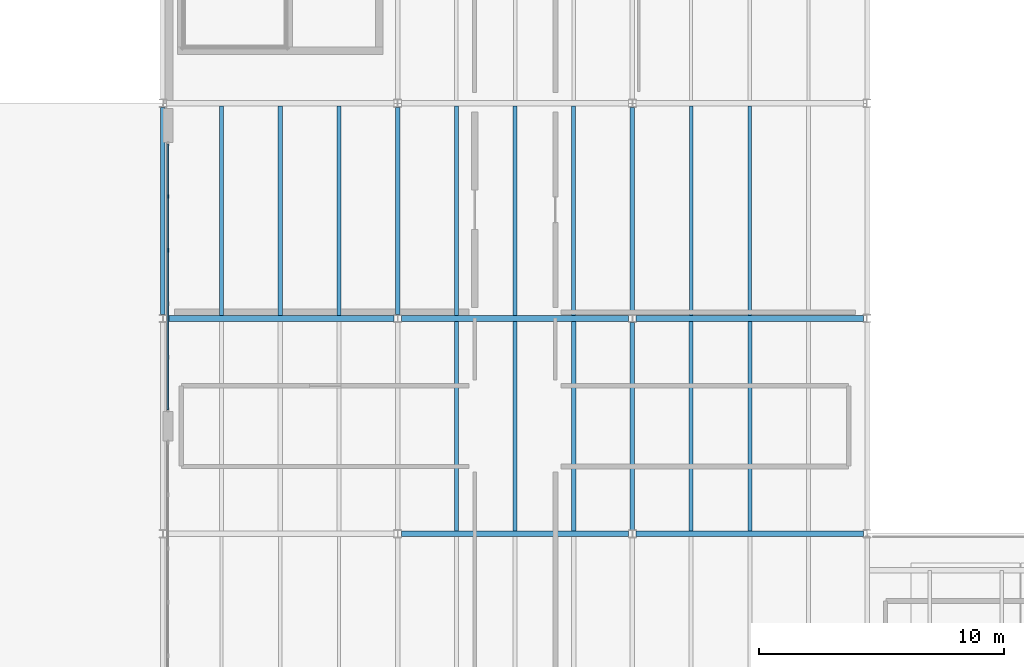
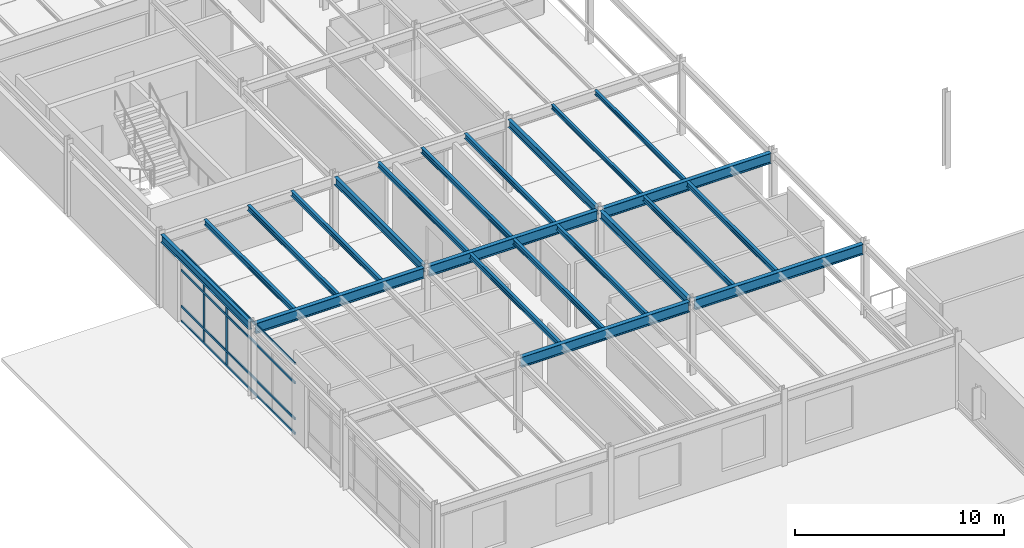
# One storey, part 19 of 77: 22 beams, 6 members, 1 element without a shape of its own.
"""IFC4 building model written with IfcOpenShell, lengths in metres."""

from ifc_helpers import new_model, si_unit, direction, frame, origin, origin_2d, place, context, subcontext, project, spatial, rectangle, i_section, extrude, material, material_profile, profile_set, type_object, element, aggregate, save


model = new_model("IFC4")

# Units and contexts
model_context = context("Model", 3, precision=1e-05, world=origin(), true_north=direction((0.0, 1.0)))
body_context = subcontext(model_context, "Body", "Model", "MODEL_VIEW")
ifc_project = project(units=[si_unit("LENGTHUNIT", "METRE"), si_unit("AREAUNIT", "SQUARE_METRE"), si_unit("VOLUMEUNIT", "CUBIC_METRE"), si_unit("PLANEANGLEUNIT", "RADIAN"), si_unit("MASSUNIT", "GRAM", prefix="KILO")], contexts=[model_context])

# Site, building, storey
site_placement = place(None, origin())
site = spatial("IfcSite", under=ifc_project, at=site_placement, CompositionType="ELEMENT")
building_placement = place(site_placement, origin())
building = spatial("IfcBuilding", under=site, at=building_placement, Name="Sarnbrook Museum", CompositionType="ELEMENT")
storey_placement = place(building_placement, frame((0.0, 0.0, 5.60009765625)))
storey = spatial("IfcBuildingStorey", under=building, at=storey_placement, Name="L01", CompositionType="ELEMENT", Elevation=5.60009765625)

# Beams
ifc_material_1 = material(Name="Structural Steel Grade 300PLUS (AS/NZS 3679.1, fy = 280 MPa for 17 < t <= 40 mm, 300 MPa for t <= 17 mm)", Category="steel")
ifc_material_profile_1 = material_profile(ifc_material_1, i_section(OverallWidth=0.18994140625, OverallDepth=0.45703125, WebThickness=0.009033203125, FlangeThickness=0.014404296875, FilletRadius=0.011474609375, at=origin_2d()), Name="460UB74.6")
ifc_profile_set_1 = profile_set([ifc_material_profile_1], Name="Structural Steel Grade 300PLUS (AS/NZS 3679.1, fy = 280 MPa for 17 < t <= 40 mm, 300 MPa for t <= 17 mm)")
beam_type_1 = type_object("IfcBeamType", Name="BM-UB460", PredefinedType="BEAM", material=ifc_profile_set_1)
for number, where, z_axis, x_axis, name in (
    (1, (13.60009765625, 30.5576171875, 4.0615234375), (0.0, 1.0, 0.0), (-1.0, 0.0, 0.0), "Girder 2:D-E L01"),
    (2, (23.199951171875, 30.5576171875, 4.0615234375), (0.0, 1.0, 0.0), (-1.0, 0.0, 0.0), "Girder 3:D-E L01"),
):
    element("IfcBeam", number, at=place(storey_placement, frame(where, z_axis=z_axis, x_axis=x_axis)), inside=storey, type_object=beam_type_1, Name=name, PredefinedType="BEAM", context=body_context, shape_type="SweptSolid", body=[
        extrude(i_section(OverallWidth=0.18994140625, OverallDepth=0.45703125, WebThickness=0.009033203125, FlangeThickness=0.014404296875, FilletRadius=0.011474609375, at=origin_2d()), origin(), (0.0, 0.0, 1.0), 8.47900390625),
    ])
beam_1_placement = place(storey_placement, frame((32.800048828125, 21.757568359375, 4.0615234375), z_axis=(0.0, 1.0, 0.0), x_axis=(-1.0, 0.0, 0.0)))
element("IfcBeam", 3, at=beam_1_placement, inside=storey, type_object=beam_type_1, Name="Girder 4:C-D L01", PredefinedType="BEAM", context=body_context, shape_type="SweptSolid", body=[
    extrude(i_section(OverallWidth=0.18994140625, OverallDepth=0.45703125, WebThickness=0.009033203125, FlangeThickness=0.014404296875, FilletRadius=0.011474609375, at=origin_2d()), origin(), (0.0, 0.0, 1.0), 8.48486328125),
])
beam_2_placement = place(storey_placement, frame((32.800048828125, 30.5576171875, 4.0615234375), z_axis=(0.0, 1.0, 0.0), x_axis=(-1.0, 0.0, 0.0)))
element("IfcBeam", 4, at=beam_2_placement, inside=storey, type_object=beam_type_1, Name="Girder 4:D-E L01", PredefinedType="BEAM", context=body_context, shape_type="SweptSolid", body=[
    extrude(i_section(OverallWidth=0.18994140625, OverallDepth=0.45703125, WebThickness=0.009033203125, FlangeThickness=0.014404296875, FilletRadius=0.011474609375, at=origin_2d()), origin(), (0.0, 0.0, 1.0), 8.47900390625),
])
ifc_material_profile_2 = material_profile(ifc_material_1, i_section(OverallWidth=0.22802734375, OverallDepth=0.60693359375, WebThickness=0.01123046875, FlangeThickness=0.017333984375, FilletRadius=0.013916015625, at=origin_2d()), Name="610UB113")
ifc_profile_set_2 = profile_set([ifc_material_profile_2], Name="Structural Steel Grade 300PLUS (AS/NZS 3679.1, fy = 280 MPa for 17 < t <= 40 mm, 300 MPa for t <= 17 mm)")
beam_type_2 = type_object("IfcBeamType", Name="BM-UB610", PredefinedType="BEAM", material=ifc_profile_set_2)
for number, where, z_axis, x_axis, name in (
    (5, (23.353515625, 21.60009765625, 3.986328125), (1.0, 0.0, 0.0), (0.0, 1.0, 0.0), "Girder C:3-4 L01"),
    (6, (32.95361328125, 21.60009765625, 3.986328125), (1.0, 0.0, 0.0), (0.0, 1.0, 0.0), "Girder C:4-5 L01"),
    (7, (13.75341796875, 30.39990234375, 3.986328125), (1.0, 0.0, 0.0), (0.0, 1.0, 0.0), "Girder D:2-3 L01"),
    (8, (23.353515625, 30.39990234375, 3.986328125), (1.0, 0.0, 0.0), (0.0, 1.0, 0.0), "Girder D:3-4 L01"),
):
    element("IfcBeam", number, at=place(storey_placement, frame(where, z_axis=z_axis, x_axis=x_axis)), inside=storey, type_object=beam_type_2, Name=name, PredefinedType="BEAM", context=body_context, shape_type="SweptSolid", body=[
        extrude(i_section(OverallWidth=0.22802734375, OverallDepth=0.60693359375, WebThickness=0.01123046875, FlangeThickness=0.017333984375, FilletRadius=0.013916015625, at=origin_2d()), origin(), (0.0, 0.0, 1.0), 9.29296875),
    ])
beam_3_placement = place(storey_placement, frame((32.95361328125, 30.39990234375, 3.986328125), z_axis=(1.0, 0.0, 0.0), x_axis=(0.0, 1.0, 0.0)))
element("IfcBeam", 9, at=beam_3_placement, inside=storey, type_object=beam_type_2, Name="Girder D:4-5 L01", PredefinedType="BEAM", context=body_context, shape_type="SweptSolid", body=[
    extrude(i_section(OverallWidth=0.22802734375, OverallDepth=0.60693359375, WebThickness=0.01123046875, FlangeThickness=0.017333984375, FilletRadius=0.013916015625, at=origin_2d()), origin(), (0.0, 0.0, 1.0), 9.290771484375),
])

# Curtain wall, members
ifc_material_2 = material(Name="Thermally Broken Anodised Aluminium 6063-T6", Category="aluminium")
curtain_wall_type = type_object("IfcCurtainWallType", Name="CurtainWall_GalleryRibbon", PredefinedType="NOTDEFINED", material=ifc_material_2)
curtain_wall_placement = place(storey_placement, origin())
curtain_wall = element("IfcCurtainWall", 10, at=curtain_wall_placement, inside=storey, type_object=curtain_wall_type, Name="Gallery Ribbon Curtain Wall L01-12.1", PredefinedType="NOTDEFINED")
ifc_material_profile_3 = material_profile(ifc_material_2, rectangle(XDim=0.06005859375, YDim=0.159912109375, at=origin_2d()), Name="ALU MULLION 60x160")
ifc_profile_set_3 = profile_set([ifc_material_profile_3], Name="Thermally Broken Anodised Aluminium 6063-T6")
member_type_1 = type_object("IfcMemberType", Name="CW_Mullion_150x65", PredefinedType="MULLION", material=ifc_profile_set_3)
member_1_placement = place(storey_placement, frame((13.81005859375, 35.387939453125, 0.0), z_axis=(0.0, 0.0, 1.0), x_axis=(1.0, 0.0, 0.0)))
member_1 = element("IfcMember", 11, at=member_1_placement, type_object=member_type_1, Name="Gallery Ribbon Curtain Wall L01-12.1 Mullion 2", PredefinedType="MULLION", context=body_context, shape_type="SweptSolid", body=[
    extrude(rectangle(XDim=0.06005859375, YDim=0.159912109375, at=origin_2d()), origin(), (0.0, 0.0, 1.0), 4.159912109375),
])
member_2_placement = place(storey_placement, frame((13.81005859375, 33.196044921875, 0.0), z_axis=(0.0, 0.0, 1.0), x_axis=(1.0, 0.0, 0.0)))
member_2 = element("IfcMember", 12, at=member_2_placement, type_object=member_type_1, Name="Gallery Ribbon Curtain Wall L01-12.1 Mullion 3", PredefinedType="MULLION", context=body_context, shape_type="SweptSolid", body=[
    extrude(rectangle(XDim=0.06005859375, YDim=0.159912109375, at=origin_2d()), origin(), (0.0, 0.0, 1.0), 4.159912109375),
])
ifc_material_profile_4 = material_profile(ifc_material_2, rectangle(XDim=0.06494140625, YDim=0.139892578125, at=origin_2d()), Name="ALU TRANSOM 65x140")
ifc_profile_set_4 = profile_set([ifc_material_profile_4], Name="Thermally Broken Anodised Aluminium 6063-T6")
member_type_2 = type_object("IfcMemberType", Name="CW_Transom_150x65", PredefinedType="USERDEFINED", material=ifc_profile_set_4)
member_3_placement = place(storey_placement, frame((13.81005859375, 37.530029296875, 0.039794921875), z_axis=(0.0, -1.0, 0.0), x_axis=(1.0, 0.0, 0.0)))
member_3 = element("IfcMember", 13, at=member_3_placement, type_object=member_type_2, Name="Gallery Ribbon Curtain Wall L01-12.1 Transom 1", ObjectType="TRANSOM", PredefinedType="USERDEFINED", context=body_context, shape_type="SweptSolid", body=[
    extrude(rectangle(XDim=0.06494140625, YDim=0.139892578125, at=origin_2d()), origin(), (0.0, 0.0, 1.0), 10.860107421875),
])
member_4_placement = place(storey_placement, frame((13.81005859375, 37.530029296875, 0.89990234375), z_axis=(0.0, -1.0, 0.0), x_axis=(1.0, 0.0, 0.0)))
member_4 = element("IfcMember", 14, at=member_4_placement, type_object=member_type_2, Name="Gallery Ribbon Curtain Wall L01-12.1 Transom 2", ObjectType="TRANSOM", PredefinedType="USERDEFINED", context=body_context, shape_type="SweptSolid", body=[
    extrude(rectangle(XDim=0.06494140625, YDim=0.139892578125, at=origin_2d()), origin(), (0.0, 0.0, 1.0), 10.860107421875),
])
member_5_placement = place(storey_placement, frame((13.81005859375, 37.530029296875, 3.0), z_axis=(0.0, -1.0, 0.0), x_axis=(1.0, 0.0, 0.0)))
member_5 = element("IfcMember", 15, at=member_5_placement, type_object=member_type_2, Name="Gallery Ribbon Curtain Wall L01-12.1 Transom 3", ObjectType="TRANSOM", PredefinedType="USERDEFINED", context=body_context, shape_type="SweptSolid", body=[
    extrude(rectangle(XDim=0.06494140625, YDim=0.139892578125, at=origin_2d()), origin(), (0.0, 0.0, 1.0), 10.860107421875),
])
member_6_placement = place(storey_placement, frame((13.81005859375, 37.530029296875, 4.119873046875), z_axis=(0.0, -1.0, 0.0), x_axis=(1.0, 0.0, 0.0)))
member_6 = element("IfcMember", 16, at=member_6_placement, type_object=member_type_2, Name="Gallery Ribbon Curtain Wall L01-12.1 Transom 4", ObjectType="TRANSOM", PredefinedType="USERDEFINED", context=body_context, shape_type="SweptSolid", body=[
    extrude(rectangle(XDim=0.06494140625, YDim=0.139892578125, at=origin_2d()), origin(), (0.0, 0.0, 1.0), 10.860107421875),
])
aggregate(curtain_wall, [member_1, member_2, member_3, member_4, member_5, member_6])

# Beams
ifc_material_profile_5 = material_profile(ifc_material_1, i_section(OverallWidth=0.14599609375, OverallDepth=0.256103515625, WebThickness=0.00634765625, FlangeThickness=0.010986328125, FilletRadius=0.0087890625, at=origin_2d()), Name="250UB37.3")
ifc_profile_set_5 = profile_set([ifc_material_profile_5], Name="Structural Steel Grade 300PLUS (AS/NZS 3679.1, fy = 280 MPa for 17 < t <= 40 mm, 300 MPa for t <= 17 mm)")
beam_type_3 = type_object("IfcBeamType", Name="JS-UB250", PredefinedType="JOIST", material=ifc_profile_set_5)
for number, where, z_axis, x_axis, name in (
    (17, (35.199951171875, 30.513916015625, 4.161865234375), (0.0, 1.0, 0.0), (-1.0, 0.0, 0.0), "Composite Floor Joist 4D-1 L01"),
    (18, (37.60009765625, 30.513916015625, 4.161865234375), (0.0, 1.0, 0.0), (-1.0, 0.0, 0.0), "Composite Floor Joist 4D-2 L01"),
):
    element("IfcBeam", number, at=place(storey_placement, frame(where, z_axis=z_axis, x_axis=x_axis)), inside=storey, type_object=beam_type_3, Name=name, PredefinedType="JOIST", context=body_context, shape_type="SweptSolid", body=[
        extrude(i_section(OverallWidth=0.14599609375, OverallDepth=0.256103515625, WebThickness=0.00634765625, FlangeThickness=0.010986328125, FilletRadius=0.0087890625, at=origin_2d()), origin(), (0.0, 0.0, 1.0), 8.572021484375),
    ])
ifc_material_profile_6 = material_profile(ifc_material_1, i_section(OverallWidth=0.1650390625, OverallDepth=0.303955078125, WebThickness=0.006103515625, FlangeThickness=0.01025390625, FilletRadius=0.011474609375, at=origin_2d()), Name="310UB40.4")
ifc_profile_set_6 = profile_set([ifc_material_profile_6], Name="Structural Steel Grade 300PLUS (AS/NZS 3679.1, fy = 280 MPa for 17 < t <= 40 mm, 300 MPa for t <= 17 mm)")
beam_type_4 = type_object("IfcBeamType", Name="JS-UB310", PredefinedType="JOIST", material=ifc_profile_set_6)
for number, where, z_axis, x_axis, name in (
    (19, (25.60009765625, 30.513916015625, 4.137939453125), (0.0, 1.0, 0.0), (-1.0, 0.0, 0.0), "Composite Floor Joist 3D-1 L01"),
    (20, (28.0, 30.513916015625, 4.137939453125), (0.0, 1.0, 0.0), (-1.0, 0.0, 0.0), "Composite Floor Joist 3D-2 L01"),
    (21, (30.39990234375, 30.513916015625, 4.137939453125), (0.0, 1.0, 0.0), (-1.0, 0.0, 0.0), "Composite Floor Joist 3D-3 L01"),
):
    element("IfcBeam", number, at=place(storey_placement, frame(where, z_axis=z_axis, x_axis=x_axis)), inside=storey, type_object=beam_type_4, Name=name, PredefinedType="JOIST", context=body_context, shape_type="SweptSolid", body=[
        extrude(i_section(OverallWidth=0.1650390625, OverallDepth=0.303955078125, WebThickness=0.006103515625, FlangeThickness=0.01025390625, FilletRadius=0.011474609375, at=origin_2d()), origin(), (0.0, 0.0, 1.0), 8.572021484375),
    ])
for number, where, z_axis, x_axis, name in (
    (22, (35.199951171875, 21.714111328125, 4.137939453125), (0.0, 1.0, 0.0), (-1.0, 0.0, 0.0), "Composite Floor Joist 4C-1 L01"),
    (23, (37.60009765625, 21.714111328125, 4.137939453125), (0.0, 1.0, 0.0), (-1.0, 0.0, 0.0), "Composite Floor Joist 4C-2 L01"),
):
    element("IfcBeam", number, at=place(storey_placement, frame(where, z_axis=z_axis, x_axis=x_axis)), inside=storey, type_object=beam_type_4, Name=name, PredefinedType="JOIST", context=body_context, shape_type="SweptSolid", body=[
        extrude(i_section(OverallWidth=0.1650390625, OverallDepth=0.303955078125, WebThickness=0.006103515625, FlangeThickness=0.01025390625, FilletRadius=0.011474609375, at=origin_2d()), origin(), (0.0, 0.0, 1.0), 8.57177734375),
    ])
ifc_material_profile_7 = material_profile(ifc_material_1, i_section(OverallWidth=0.166015625, OverallDepth=0.306884765625, WebThickness=0.006591796875, FlangeThickness=0.01171875, FilletRadius=0.011474609375, at=origin_2d()), Name="310UB46.2")
ifc_profile_set_7 = profile_set([ifc_material_profile_7], Name="Structural Steel Grade 300PLUS (AS/NZS 3679.1, fy = 280 MPa for 17 < t <= 40 mm, 300 MPa for t <= 17 mm)")
beam_type_5 = type_object("IfcBeamType", Name="JS-UB310H", PredefinedType="JOIST", material=ifc_profile_set_7)
for number, where, z_axis, x_axis, name in (
    (24, (16.0, 30.513916015625, 4.136474609375), (0.0, 1.0, 0.0), (-1.0, 0.0, 0.0), "Composite Floor Joist 2D-1 L01"),
    (25, (18.39990234375, 30.513916015625, 4.136474609375), (0.0, 1.0, 0.0), (-1.0, 0.0, 0.0), "Composite Floor Joist 2D-2 L01"),
    (26, (20.800048828125, 30.513916015625, 4.136474609375), (0.0, 1.0, 0.0), (-1.0, 0.0, 0.0), "Composite Floor Joist 2D-3 L01"),
):
    element("IfcBeam", number, at=place(storey_placement, frame(where, z_axis=z_axis, x_axis=x_axis)), inside=storey, type_object=beam_type_5, Name=name, PredefinedType="JOIST", context=body_context, shape_type="SweptSolid", body=[
        extrude(i_section(OverallWidth=0.166015625, OverallDepth=0.306884765625, WebThickness=0.006591796875, FlangeThickness=0.01171875, FilletRadius=0.011474609375, at=origin_2d()), origin(), (0.0, 0.0, 1.0), 8.572021484375),
    ])
for number, where, z_axis, x_axis, name in (
    (27, (25.60009765625, 21.714111328125, 4.136474609375), (0.0, 1.0, 0.0), (-1.0, 0.0, 0.0), "Composite Floor Joist 3C-1 L01"),
    (28, (28.0, 21.714111328125, 4.136474609375), (0.0, 1.0, 0.0), (-1.0, 0.0, 0.0), "Composite Floor Joist 3C-2 L01"),
    (29, (30.39990234375, 21.714111328125, 4.136474609375), (0.0, 1.0, 0.0), (-1.0, 0.0, 0.0), "Composite Floor Joist 3C-3 L01"),
):
    element("IfcBeam", number, at=place(storey_placement, frame(where, z_axis=z_axis, x_axis=x_axis)), inside=storey, type_object=beam_type_5, Name=name, PredefinedType="JOIST", context=body_context, shape_type="SweptSolid", body=[
        extrude(i_section(OverallWidth=0.166015625, OverallDepth=0.306884765625, WebThickness=0.006591796875, FlangeThickness=0.01171875, FilletRadius=0.011474609375, at=origin_2d()), origin(), (0.0, 0.0, 1.0), 8.57177734375),
    ])

save(model, "model.ifc")
